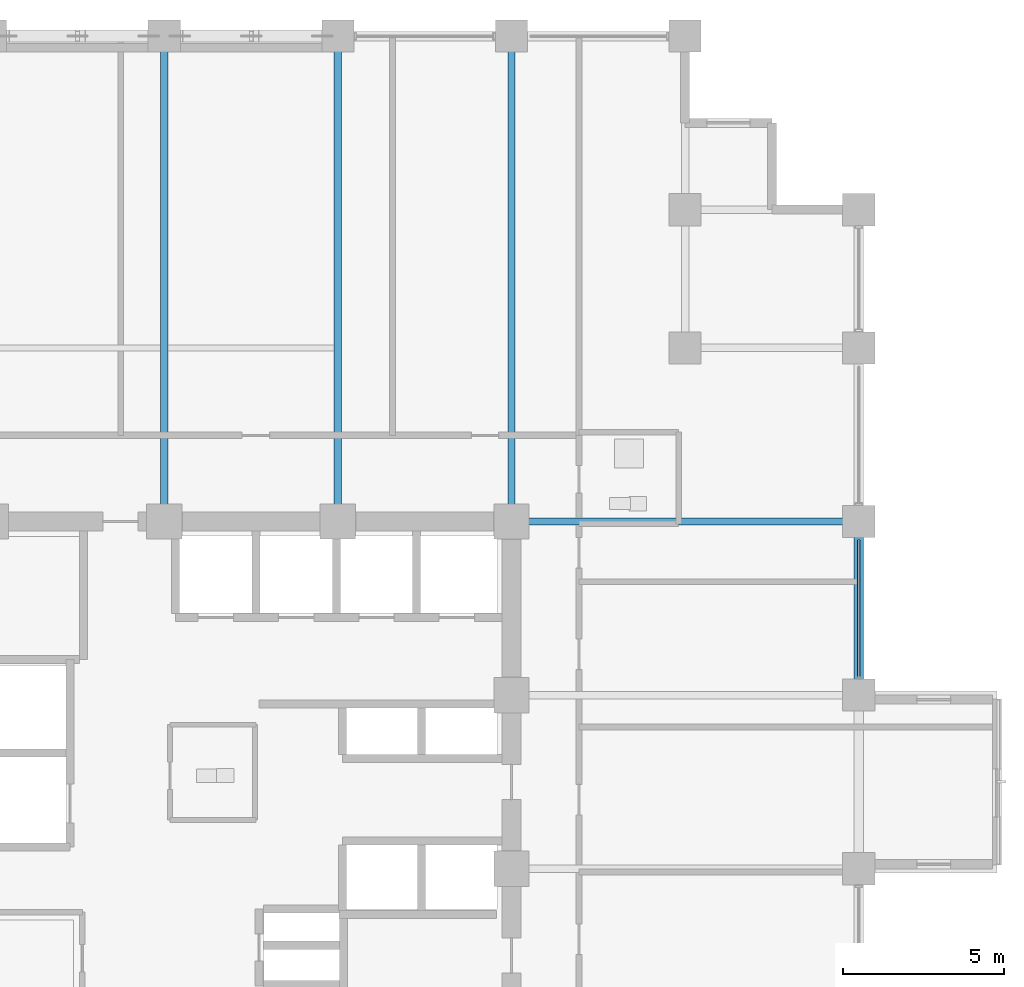
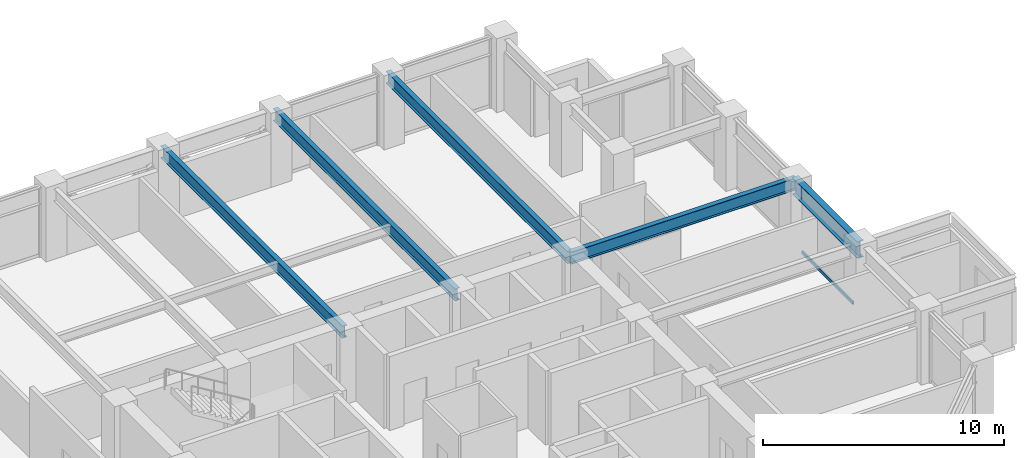
# One storey, part 14 of 25: 5 beams, 1 member, 1 element without a shape of its own.
"""IFC4 building model written with IfcOpenShell, lengths in metres."""

from ifc_helpers import new_model, si_unit, direction, frame, origin, origin_2d, place, context, subcontext, project, spatial, hollow_rectangle, i_section, extrude, material, layer, layer_set, material_profile, profile_set, type_object, element, aggregate, save


model = new_model("IFC4")

# Units and contexts
model_context = context("Model", 3, precision=1e-05, world=origin(), true_north=direction((0.0, 1.0)))
body_context = subcontext(model_context, "Body", "Model", "MODEL_VIEW")
ifc_project = project(units=[si_unit("LENGTHUNIT", "METRE"), si_unit("AREAUNIT", "SQUARE_METRE"), si_unit("VOLUMEUNIT", "CUBIC_METRE"), si_unit("PLANEANGLEUNIT", "RADIAN"), si_unit("MASSUNIT", "GRAM", prefix="KILO")], contexts=[model_context])

# Site, building, storey
site_placement = place(None, origin())
site = spatial("IfcSite", under=ifc_project, at=site_placement, CompositionType="ELEMENT")
building_placement = place(site_placement, origin())
building = spatial("IfcBuilding", under=site, at=building_placement, Name="Surkhivell Harbour Commons", CompositionType="ELEMENT")
storey_placement = place(building_placement, frame((0.0, 0.0, 139.5)))
storey = spatial("IfcBuildingStorey", under=building, at=storey_placement, Name="L36", CompositionType="ELEMENT", Elevation=139.5)

# Beams
ifc_material_1 = material(Name="Steel S355", Category="steel")
ifc_material_profile_1 = material_profile(ifc_material_1, i_section(OverallWidth=0.22998046875, OverallDepth=0.616943359375, WebThickness=0.01318359375, FlangeThickness=0.022216796875, at=origin_2d()), Name="UB610x229x140")
ifc_profile_set_1 = profile_set([ifc_material_profile_1], Name="Steel S355")
beam_type_1 = type_object("IfcBeamType", Name="BM-GRD-610B", PredefinedType="BEAM", material=ifc_profile_set_1)
for number, where, z_axis, x_axis, name in (
    (1, (0.0, 10.800048828125, 3.261474609375), (0.0, 1.0, 0.0), (-1.0, 0.0, 0.0), "L36 Floor Girder (0.0,10.8)"),
    (2, (5.39990234375, 10.800048828125, 3.261474609375), (0.0, 1.0, 0.0), (-1.0, 0.0, 0.0), "L36 Floor Girder (5.4,10.8)"),
    (3, (10.800048828125, 10.800048828125, 3.261474609375), (0.0, 1.0, 0.0), (-1.0, 0.0, 0.0), "L36 Floor Girder (10.8,10.8)"),
):
    element("IfcBeam", number, at=place(storey_placement, frame(where, z_axis=z_axis, x_axis=x_axis)), inside=storey, type_object=beam_type_1, Name=name, PredefinedType="BEAM", context=body_context, shape_type="SweptSolid", body=[
        extrude(i_section(OverallWidth=0.22998046875, OverallDepth=0.616943359375, WebThickness=0.01318359375, FlangeThickness=0.022216796875, at=origin_2d()), origin(), (0.0, 0.0, 1.0), 15.099853515625),
    ])
beam_1_placement = place(storey_placement, frame((10.800048828125, 10.800048828125, 3.261474609375), z_axis=(1.0, 0.0, 0.0), x_axis=(0.0, 1.0, 0.0)))
element("IfcBeam", 4, at=beam_1_placement, inside=storey, type_object=beam_type_1, Name="L36 Floor Girder (10.8,10.8)", PredefinedType="BEAM", context=body_context, shape_type="SweptSolid", body=[
    extrude(i_section(OverallWidth=0.22998046875, OverallDepth=0.616943359375, WebThickness=0.01318359375, FlangeThickness=0.022216796875, at=origin_2d()), origin(), (0.0, 0.0, 1.0), 10.800048828125),
])
ifc_material_2 = material(Name="Steel S460", Category="steel")
ifc_material_profile_2 = material_profile(ifc_material_2, i_section(OverallWidth=0.2939453125, OverallDepth=0.85107421875, WebThickness=0.01611328125, FlangeThickness=0.02685546875, at=origin_2d()), Name="UB838x292x226")
ifc_profile_set_2 = profile_set([ifc_material_profile_2], Name="Steel S460")
beam_type_2 = type_object("IfcBeamType", Name="BM-SPN-838", PredefinedType="SPANDREL", material=ifc_profile_set_2)
beam_2_placement = place(storey_placement, frame((21.60009765625, 5.39990234375, 3.14453125), z_axis=(0.0, 1.0, 0.0), x_axis=(-1.0, 0.0, 0.0)))
element("IfcBeam", 5, at=beam_2_placement, inside=storey, type_object=beam_type_2, Name="L36 Tube Spandrel (21.6,5.4)", PredefinedType="SPANDREL", context=body_context, shape_type="SweptSolid", body=[
    extrude(i_section(OverallWidth=0.2939453125, OverallDepth=0.85107421875, WebThickness=0.01611328125, FlangeThickness=0.02685546875, at=origin_2d()), origin(), (0.0, 0.0, 1.0), 5.400146484375),
])

# Curtain wall, member
ifc_material_3 = material(Name="Anodised pale-metal aluminium and insulated glazing", Category="aluminium")
ifc_layer = layer(ifc_material_3, 0.205078125)
ifc_layer_set = layer_set([ifc_layer], Name="Anodised pale-metal aluminium and insulated glazing")
curtain_wall_type = type_object("IfcCurtainWallType", Name="CW-SYS-Z2", PredefinedType="NOTDEFINED", material=ifc_layer_set)
curtain_wall_placement = place(storey_placement, origin())
curtain_wall = element("IfcCurtainWall", 6, at=curtain_wall_placement, inside=storey, type_object=curtain_wall_type, Name="L36 Curtain Wall CW-L36-E02R2", PredefinedType="NOTDEFINED")
ifc_material_4 = material(Name="Anodised pale-metal aluminium alloy 6063-T6", Category="aluminium")
ifc_material_profile_3 = material_profile(ifc_material_4, hollow_rectangle(XDim=0.074951171875, YDim=0.14990234375, WallThickness=0.00341796875, at=origin_2d()), Name="ALU-TRAN-75x150")
ifc_profile_set_3 = profile_set([ifc_material_profile_3], Name="Anodised pale-metal aluminium alloy 6063-T6")
member_type = type_object("IfcMemberType", Name="CWT-150", PredefinedType="USERDEFINED", material=ifc_profile_set_3)
member_placement = place(storey_placement, frame((21.60009765625, 5.97705078125, 0.074951171875), z_axis=(0.0, 1.0, 0.0), x_axis=(-1.0, 0.0, 0.0)))
member = element("IfcMember", 7, at=member_placement, type_object=member_type, Name="CW-Z2 transom 1.1", ObjectType="TRANSOM", PredefinedType="USERDEFINED", context=body_context, shape_type="SweptSolid", body=[
    extrude(hollow_rectangle(XDim=0.074951171875, YDim=0.14990234375, WallThickness=0.00341796875, at=origin_2d()), origin(), (0.0, 0.0, 1.0), 4.245849609375),
])
aggregate(curtain_wall, [member])

save(model, "model.ifc")
